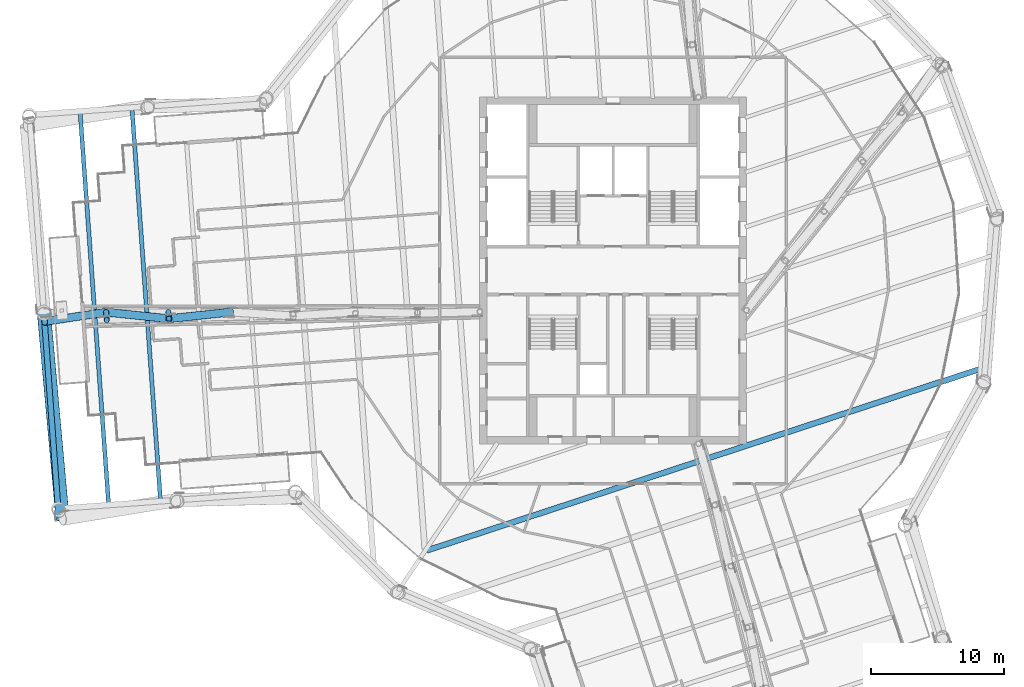
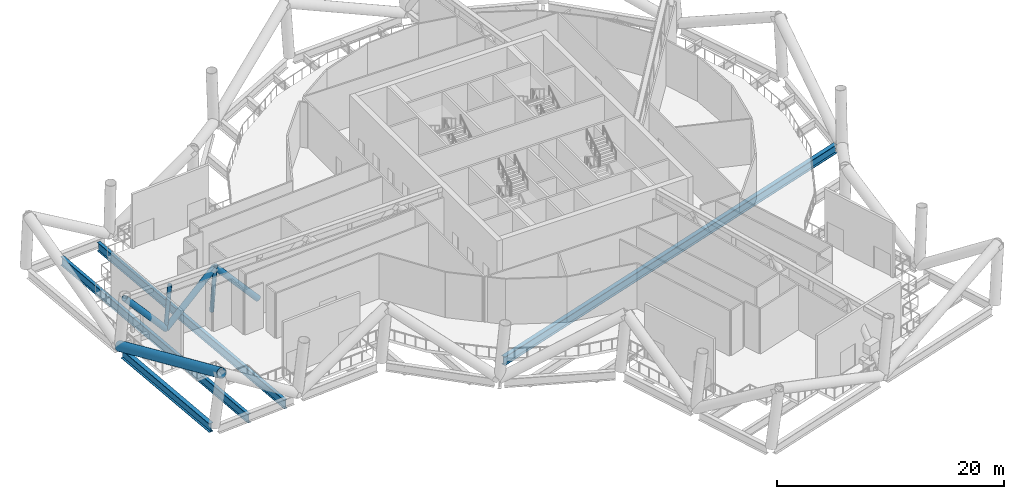
# One storey, part 3 of 33: 6 members, 4 beams.
"""IFC4 building model written with IfcOpenShell, lengths in metres."""

from ifc_helpers import new_model, si_unit, direction, frame, origin, origin_2d, place, context, subcontext, project, spatial, hollow_circle, i_section, extrude, material, material_profile, profile_set, type_object, element, save


model = new_model("IFC4")

# Units and contexts
model_context = context("Model", 3, precision=1e-05, world=origin(), true_north=direction((0.0, 1.0)))
body_context = subcontext(model_context, "Body", "Model", "MODEL_VIEW")
ifc_project = project(units=[si_unit("LENGTHUNIT", "METRE"), si_unit("AREAUNIT", "SQUARE_METRE"), si_unit("VOLUMEUNIT", "CUBIC_METRE"), si_unit("PLANEANGLEUNIT", "RADIAN"), si_unit("MASSUNIT", "GRAM", prefix="KILO")], contexts=[model_context])

# Site, building, storey
site_placement = place(None, origin())
site = spatial("IfcSite", under=ifc_project, at=site_placement, CompositionType="ELEMENT")
building_placement = place(site_placement, origin())
building = spatial("IfcBuilding", under=site, at=building_placement, Name="Tarsis Ring Headquarters", CompositionType="ELEMENT")
storey_placement = place(building_placement, frame((0.0, 0.0, 302.0)))
storey = spatial("IfcBuildingStorey", under=building, at=storey_placement, Name="L71", CompositionType="ELEMENT", Elevation=302.0)

# Beams
ifc_material = material(Name="Structural steel S355", Category="steel")
ifc_material_profile_1 = material_profile(ifc_material, i_section(OverallWidth=0.309814453125, OverallDepth=0.949951171875, WebThickness=0.0244140625, FlangeThickness=0.0439453125, at=origin_2d()), Name="W36x256")
ifc_profile_set_1 = profile_set([ifc_material_profile_1], Name="Structural steel S355")
beam_type_1 = type_object("IfcBeamType", Name="FB Floor beam W36x256", PredefinedType="JOIST", material=ifc_profile_set_1)
for number, where, z_axis, x_axis, name in (
    (1, (-36.072998046875, 12.10302734375, -0.77490234375), (0.072538100793, -0.997365642046, 0.0), (0.997365642046, 0.072538100793, 0.0), "Floor beam FB11"),
    (2, (-39.962646484375, 11.820068359375, -0.77490234375), (0.072538100793, -0.997365642046, 0.0), (0.997365642046, 0.072538100793, 0.0), "Floor beam FB11"),
):
    element("IfcBeam", number, at=place(storey_placement, frame(where, z_axis=z_axis, x_axis=x_axis)), inside=storey, type_object=beam_type_1, Name=name, PredefinedType="JOIST", context=body_context, shape_type="SweptSolid", body=[
        extrude(i_section(OverallWidth=0.309814453125, OverallDepth=0.949951171875, WebThickness=0.0244140625, FlangeThickness=0.0439453125, at=origin_2d()), origin(), (0.0, 0.0, 1.0), 29.375732421875),
    ])
ifc_material_profile_2 = material_profile(ifc_material, i_section(OverallWidth=0.42431640625, OverallDepth=0.947509765625, WebThickness=0.02392578125, FlangeThickness=0.042724609375, at=origin_2d()), Name="W36x302")
ifc_profile_set_2 = profile_set([ifc_material_profile_2], Name="Structural steel S355")
beam_type_2 = type_object("IfcBeamType", Name="FB Floor beam W36x302", PredefinedType="JOIST", material=ifc_profile_set_2)
beam_1_placement = place(storey_placement, frame((-13.96630859375, -20.998779296875, -0.773681640625), z_axis=(0.950190851722, 0.31166864665, 0.0), x_axis=(-0.31166864665, 0.950190851722, 0.0)))
element("IfcBeam", 3, at=beam_1_placement, inside=storey, type_object=beam_type_2, Name="Floor beam FB12", PredefinedType="JOIST", context=body_context, shape_type="SweptSolid", body=[
    extrude(i_section(OverallWidth=0.42431640625, OverallDepth=0.947509765625, WebThickness=0.02392578125, FlangeThickness=0.042724609375, at=origin_2d()), origin(), (0.0, 0.0, 1.0), 43.924560546875),
])

# Members
ifc_material_profile_3 = material_profile(ifc_material, hollow_circle(Radius=0.3046875, WallThickness=0.02490234375, at=origin_2d()), Name="CHS 610x25")
ifc_profile_set_3 = profile_set([ifc_material_profile_3], Name="Structural steel S355")
member_type_1 = type_object("IfcMemberType", Name="OD Outrigger diagonal CHS 610x25", PredefinedType="BRACE", material=ifc_profile_set_3)
member_1_placement = place(storey_placement, frame((-28.677001953125, -3.12158203125, 0.25390625), z_axis=(-0.653945361753, -0.070188755863, 0.753278834424), x_axis=(0.106718286947, -0.994289297554, 0.0)))
element("IfcMember", 4, at=member_1_placement, inside=storey, type_object=member_type_1, Name="Outrigger diagonal OD1", PredefinedType="BRACE", context=body_context, shape_type="SweptSolid", body=[
    extrude(hollow_circle(Radius=0.3046875, WallThickness=0.02490234375, at=origin_2d()), origin(), (0.0, 0.0, 1.0), 7.078369140625),
])
member_2_placement = place(storey_placement, frame((-33.305908203125, -3.618408203125, 5.5859375), z_axis=(-0.660456200108, 0.06816839266, -0.747763784882), x_axis=(-0.102668676906, -0.994715608997, 0.0)))
element("IfcMember", 5, at=member_2_placement, inside=storey, type_object=member_type_1, Name="Outrigger diagonal OD1", PredefinedType="BRACE", context=body_context, shape_type="SweptSolid", body=[
    extrude(hollow_circle(Radius=0.3046875, WallThickness=0.02490234375, at=origin_2d()), origin(), (0.0, 0.0, 1.0), 7.130615234375),
])
member_3_placement = place(storey_placement, frame((-38.015380859375, -3.13232421875, 0.25390625), z_axis=(-0.651116925208, -0.097870862051, 0.7526407138), x_axis=(0.148642450372, -0.988891006101, 0.0)))
element("IfcMember", 6, at=member_3_placement, inside=storey, type_object=member_type_1, Name="Outrigger diagonal OD1", PredefinedType="BRACE", context=body_context, shape_type="SweptSolid", body=[
    extrude(hollow_circle(Radius=0.3046875, WallThickness=0.02490234375, at=origin_2d()), origin(), (0.0, 0.0, 1.0), 7.08447265625),
])
ifc_material_profile_4 = material_profile(ifc_material, hollow_circle(Radius=0.203125, WallThickness=0.01611328125, at=origin_2d()), Name="CHS 406x16")
ifc_profile_set_4 = profile_set([ifc_material_profile_4], Name="Structural steel S355")
member_type_2 = type_object("IfcMemberType", Name="OV Outrigger post CHS 406x16", PredefinedType="STRUT", material=ifc_profile_set_4)
member_4_placement = place(storey_placement, frame((-33.34619140625, -3.126953125, 0.508056640625), z_axis=(0.008307337031, -0.101349511784, 0.994816196396), x_axis=(0.996657521232, 0.081693239445, 0.0)))
element("IfcMember", 7, at=member_4_placement, inside=storey, type_object=member_type_2, Name="Outrigger post OV1", PredefinedType="STRUT", context=body_context, shape_type="SweptSolid", body=[
    extrude(hollow_circle(Radius=0.203125, WallThickness=0.01611328125, at=origin_2d()), origin(), (0.0, 0.0, 1.0), 4.84912109375),
])
member_5_placement = place(storey_placement, frame((-38.015380859375, -3.13232421875, 0.508056640625), z_axis=(0.009946239258, -0.121313978827, 0.992564350995), x_axis=(0.99665586849, 0.081713400398, 0.0)))
element("IfcMember", 8, at=member_5_placement, inside=storey, type_object=member_type_2, Name="Outrigger post OV1", PredefinedType="STRUT", context=body_context, shape_type="SweptSolid", body=[
    extrude(hollow_circle(Radius=0.203125, WallThickness=0.01611328125, at=origin_2d()), origin(), (0.0, 0.0, 1.0), 4.860107421875),
])
ifc_material_profile_5 = material_profile(ifc_material, hollow_circle(Radius=0.508056640625, WallThickness=0.0400390625, at=origin_2d()), Name="CHS 1016x40")
ifc_profile_set_5 = profile_set([ifc_material_profile_5], Name="Structural steel S355")
member_type_3 = type_object("IfcMemberType", Name="TD Belt truss diagonal CHS 1016x40", PredefinedType="BRACE", material=ifc_profile_set_5)
member_6_placement = place(storey_placement, frame((-42.687255859375, -3.104736328125, 0.0), z_axis=(0.084156620459, -0.929364639182, 0.359442666738), x_axis=(0.995925133144, 0.09018386315, 0.0)))
element("IfcMember", 9, at=member_6_placement, inside=storey, type_object=member_type_3, Name="Belt truss diagonal TD6", PredefinedType="BRACE", context=body_context, shape_type="SweptSolid", body=[
    extrude(hollow_circle(Radius=0.508056640625, WallThickness=0.0400390625, at=origin_2d()), origin(), (0.0, 0.0, 1.0), 16.692626953125),
])

# Beam
beam_type_3 = type_object("IfcBeamType", Name="XG Ring girder W36x302", PredefinedType="BEAM", material=ifc_profile_set_2)
beam_2_placement = place(storey_placement, frame((-42.654052734375, -3.560791015625, -0.4736328125), z_axis=(0.072543963609, -0.997365215628, 0.0), x_axis=(0.997365215628, 0.072543963609, 0.0)))
element("IfcBeam", 10, at=beam_2_placement, inside=storey, type_object=beam_type_3, Name="Ring girder XG1", PredefinedType="BEAM", context=body_context, shape_type="SweptSolid", body=[
    extrude(i_section(OverallWidth=0.42431640625, OverallDepth=0.947509765625, WebThickness=0.02392578125, FlangeThickness=0.042724609375, at=origin_2d()), origin(), (0.0, 0.0, 1.0), 13.8857421875),
])

save(model, "model.ifc")
